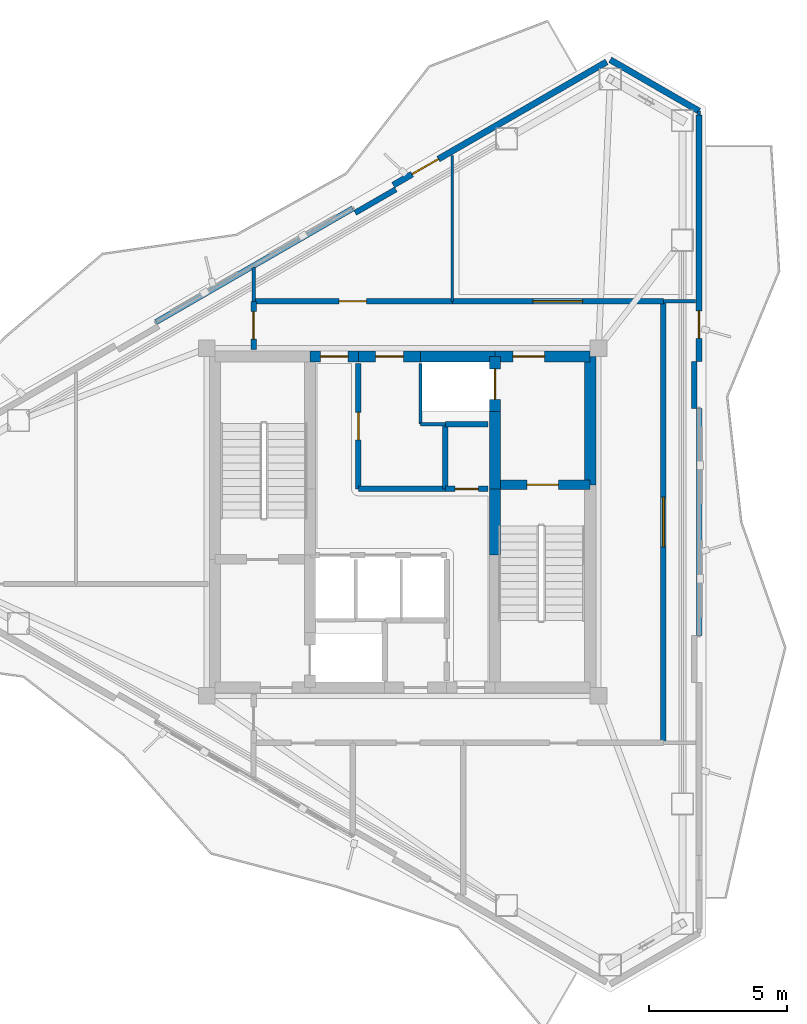
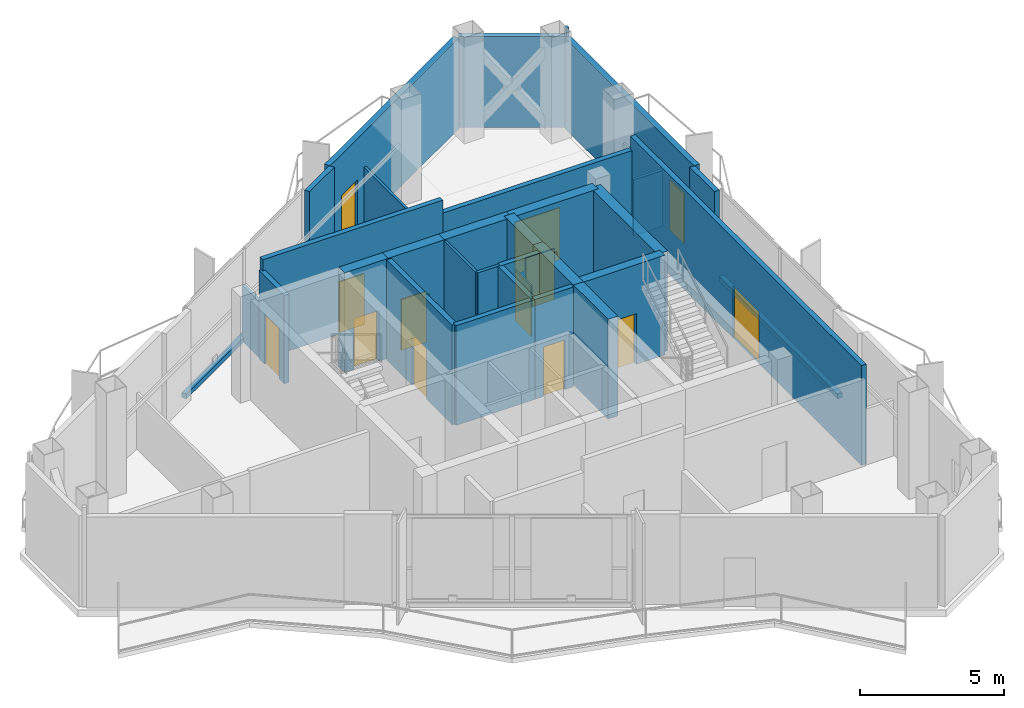
# One storey, part 11 of 14: 31 walls, 13 doors, 13 openings.
"""IFC4 building model written with IfcOpenShell, lengths in metres."""

from ifc_helpers import new_model, si_unit, direction, frame, frame_2d, origin, place, context, subcontext, project, spatial, rectangle, extrude, material, layer, layer_set, type_object, element, fill, save


model = new_model("IFC4")

# Units and contexts
model_context = context("Model", 3, precision=1e-05, world=origin(), true_north=direction((0.0, 1.0)))
body_context = subcontext(model_context, "Body", "Model", "MODEL_VIEW")
ifc_project = project(units=[si_unit("LENGTHUNIT", "METRE"), si_unit("AREAUNIT", "SQUARE_METRE"), si_unit("VOLUMEUNIT", "CUBIC_METRE"), si_unit("PLANEANGLEUNIT", "RADIAN"), si_unit("MASSUNIT", "GRAM", prefix="KILO")], contexts=[model_context])

# Site, building, storey
site_placement = place(None, origin())
site = spatial("IfcSite", under=ifc_project, at=site_placement, CompositionType="ELEMENT")
building_placement = place(site_placement, origin())
building = spatial("IfcBuilding", under=site, at=building_placement, Name="Mersakhor Tower and Convention Hall", CompositionType="ELEMENT")
storey_placement = place(building_placement, frame((0.0, 0.0, 249.60009765625)))
storey = spatial("IfcBuildingStorey", under=building, at=storey_placement, Name="L70", CompositionType="ELEMENT", Elevation=249.60009765625)

# Wall
ifc_material_1 = material(Name="Precast concrete C40/50", Category="concrete")
ifc_layer_1 = layer(ifc_material_1, 0.22509765625)
ifc_layer_set_1 = layer_set([ifc_layer_1], Name="Precast concrete C40/50")
wall_type_1 = type_object("IfcWallType", Name="WL-EXT-225", PredefinedType="SOLIDWALL", material=ifc_layer_set_1)
wall_1_placement = place(storey_placement, frame((36.525146484375, 43.49951171875, 0.0), z_axis=(0.0, 0.0, 1.0), x_axis=(0.866038962515, -0.499976514854, 0.0)))
element("IfcWall", 1, at=wall_1_placement, inside=storey, type_object=wall_type_1, Name="L70 Chamfer Braced Spandrel Wall C1", PredefinedType="SOLIDWALL", context=body_context, shape_type="SweptSolid", body=[
    extrude(rectangle(XDim=3.715576171875, YDim=0.22509765625, at=frame_2d((1.85791015625, 0.0))), origin(), (0.0, 0.0, 1.0), 3.83984375),
])

# Wall, opening, door
wall_2_placement = place(storey_placement, frame((28.66357421875, 38.96044921875, 0.0), z_axis=(0.0, 0.0, 1.0), x_axis=(0.866026655105, 0.499997832642, 0.0)))
wall_2 = element("IfcWall", 2, at=wall_2_placement, inside=storey, type_object=wall_type_1, Name="L70 Exterior Facade Wall F1-B3", PredefinedType="SOLIDWALL", context=body_context, shape_type="SweptSolid", body=[
    extrude(rectangle(XDim=8.927734375, YDim=0.22509765625, at=frame_2d((4.4638671875, 0.0))), origin(), (0.0, 0.0, 1.0), 3.83984375),
])
opening_1_placement = place(wall_2_placement, frame((0.7880859375, 0.0, 0.0)))
opening_1 = element("IfcOpeningElement", 3, at=opening_1_placement, cuts=wall_2, Name="Opening BD-02", PredefinedType="OPENING", context=body_context, shape_type="SweptSolid", body=[
    extrude(rectangle(XDim=1.10009765625, YDim=2.10009765625, at=frame_2d((0.550048828125, 1.050048828125))), frame((0.0, 0.12255859375, 0.0), z_axis=(0.0, -1.0, 0.0), x_axis=(1.0, 0.0, 0.0)), (0.0, 0.0, 1.0), 0.2451171875),
])
ifc_material_2 = material(Name="Thermally broken dark aluminium and safety glass", Category="aluminium")
door_type_1 = type_object("IfcDoorType", Name="DR-BAL-110x210", OperationType="NOTDEFINED", PredefinedType="DOOR", material=ifc_material_2)
door_1_placement = place(opening_1_placement, origin())
door_1 = element("IfcDoor", 4, at=door_1_placement, inside=storey, type_object=door_type_1, Name="L70 Balcony Terrace Door F1-B3", OperationType="SINGLE_SWING_RIGHT", OverallHeight=2.10009765625, OverallWidth=1.10009765625, PredefinedType="DOOR", context=body_context, shape_type="SweptSolid", body=[
    extrude(rectangle(XDim=1.10009765625, YDim=2.10009765625, at=frame_2d((0.550048828125, 1.050048828125))), frame((0.0, 0.02490234375, 0.0), z_axis=(0.0, -1.0, 0.0), x_axis=(1.0, 0.0, 0.0)), (0.0, 0.0, 1.0), 0.050048828125),
])
fill(opening_1, door_1)

wall_3_placement = place(storey_placement, frame((39.742919921875, 41.49169921875, 0.0), z_axis=(0.0, 0.0, 1.0), x_axis=(0.0, -1.0, 0.0)))
wall_3 = element("IfcWall", 5, at=wall_3_placement, inside=storey, type_object=wall_type_1, Name="L70 Exterior Facade Wall F2-B1", PredefinedType="SOLIDWALL", context=body_context, shape_type="SweptSolid", body=[
    extrude(rectangle(XDim=8.927734375, YDim=0.22509765625, at=frame_2d((4.4638671875, 0.0))), origin(), (0.0, 0.0, 1.0), 3.83984375),
])
opening_2_placement = place(wall_3_placement, frame((7.090087890625, 0.0, 0.0)))
opening_2 = element("IfcOpeningElement", 6, at=opening_2_placement, cuts=wall_3, Name="Opening BD-01", PredefinedType="OPENING", context=body_context, shape_type="SweptSolid", body=[
    extrude(rectangle(XDim=1.0, YDim=2.10009765625, at=frame_2d((0.5, 1.050048828125))), frame((0.0, 0.12255859375, 0.0), z_axis=(0.0, -1.0, 0.0), x_axis=(1.0, 0.0, 0.0)), (0.0, 0.0, 1.0), 0.2451171875),
])
ifc_material_3 = material(Name="Thermally broken dark aluminium and safety glass", Category="aluminium")
door_type_2 = type_object("IfcDoorType", Name="DR-BAL-100x210", OperationType="NOTDEFINED", PredefinedType="DOOR", material=ifc_material_3)
door_2_placement = place(opening_2_placement, origin())
door_2 = element("IfcDoor", 7, at=door_2_placement, inside=storey, type_object=door_type_2, Name="L70 Balcony Terrace Door F2-B1", OperationType="SINGLE_SWING_LEFT", OverallHeight=2.10009765625, OverallWidth=1.0, PredefinedType="DOOR", context=body_context, shape_type="SweptSolid", body=[
    extrude(rectangle(XDim=1.0, YDim=2.10009765625, at=frame_2d((0.5, 1.050048828125))), frame((0.0, 0.02490234375, 0.0), z_axis=(0.0, -1.0, 0.0), x_axis=(1.0, 0.0, 0.0)), (0.0, 0.0, 1.0), 0.050048828125),
])
fill(opening_2, door_2)

# Walls
ifc_material_4 = material(Name="Precast concrete C40/50", Category="concrete")
ifc_layer_2 = layer(ifc_material_4, 0.199951171875)
ifc_layer_set_2 = layer_set([ifc_layer_2], Name="Precast concrete C40/50")
wall_type_2 = type_object("IfcWallType", Name="WL-PAR-200", PredefinedType="PARAPET", material=ifc_layer_set_2)
wall_4_placement = place(storey_placement, frame((20.06591796875, 33.99658203125, 0.0), z_axis=(0.0, 0.0, 1.0), x_axis=(0.866019557082, 0.500010126649, 0.0)))
element("IfcWall", 8, at=wall_4_placement, inside=storey, type_object=wall_type_2, Name="L70 Curtain Wall Upstand Sill F1-B2", PredefinedType="PARAPET", context=body_context, shape_type="SweptSolid", body=[
    extrude(rectangle(XDim=8.227783203125, YDim=0.199951171875, at=frame_2d((4.11376953125, 0.0))), origin(), (0.0, 0.0, 1.0), 0.199951171875),
])
wall_5_placement = place(storey_placement, frame((27.28125, 37.95458984375, 0.0), z_axis=(0.0, 0.0, 1.0), x_axis=(0.866025371046, 0.500000056704, 0.0)))
element("IfcWall", 9, at=wall_5_placement, inside=storey, type_object=wall_type_2, Name="L70 Column Pier Cladding Wall F1-C2", PredefinedType="PARAPET", context=body_context, shape_type="SweptSolid", body=[
    extrude(rectangle(XDim=1.7001953125, YDim=0.199951171875, at=frame_2d((0.85009765625, 0.0))), origin(), (0.0, 0.0, 1.0), 3.83984375),
])
wall_6_placement = place(storey_placement, frame((39.742919921875, 30.864013671875, 0.0), z_axis=(0.0, 0.0, 1.0), x_axis=(0.0, -1.0, 0.0)))
element("IfcWall", 10, at=wall_6_placement, inside=storey, type_object=wall_type_2, Name="L70 Curtain Wall Upstand Sill F2-B2", PredefinedType="PARAPET", context=body_context, shape_type="SweptSolid", body=[
    extrude(rectangle(XDim=8.22802734375, YDim=0.199951171875, at=frame_2d((4.114013671875, 0.0))), origin(), (0.0, 0.0, 1.0), 0.199951171875),
])
wall_7_placement = place(storey_placement, frame((39.562744140625, 32.56396484375, 0.0), z_axis=(0.0, 0.0, 1.0), x_axis=(0.0, -1.0, 0.0)))
element("IfcWall", 11, at=wall_7_placement, inside=storey, type_object=wall_type_2, Name="L70 Column Pier Cladding Wall F2-C1", PredefinedType="PARAPET", context=body_context, shape_type="SweptSolid", body=[
    extrude(rectangle(XDim=1.699951171875, YDim=0.199951171875, at=frame_2d((0.85009765625, 0.0))), origin(), (0.0, 0.0, 1.0), 3.83984375),
])
ifc_material_5 = material(Name="Lightweight gypsum partition", Category="other")
ifc_layer_3 = layer(ifc_material_5, 0.10009765625)
ifc_layer_set_3 = layer_set([ifc_layer_3], Name="Lightweight gypsum partition")
wall_type_3 = type_object("IfcWallType", Name="WL-PRT-100", PredefinedType="PARTITIONING", material=ifc_layer_set_3)
wall_8_placement = place(storey_placement, frame((29.64990234375, 30.300048828125, 0.0), z_axis=(0.0, 0.0, 1.0), x_axis=(0.0, 1.0, 0.0)))
element("IfcWall", 12, at=wall_8_placement, inside=storey, type_object=wall_type_3, Name="L70 Interior Partition Wall P-006", PredefinedType="PARTITIONING", context=body_context, shape_type="SweptSolid", body=[
    extrude(rectangle(XDim=2.199951171875, YDim=0.10009765625, at=frame_2d((1.10009765625, 0.0))), origin(), (0.0, 0.0, 1.0), 4.219970703125),
])
wall_9_placement = place(storey_placement, frame((30.800048828125, 40.036376953125, 0.0), z_axis=(0.0, 0.0, 1.0), x_axis=(0.0, -1.0, 0.0)))
element("IfcWall", 13, at=wall_9_placement, inside=storey, type_object=wall_type_3, Name="L70 Interior Partition Wall P-030", PredefinedType="PARTITIONING", context=body_context, shape_type="SweptSolid", body=[
    extrude(rectangle(XDim=5.286376953125, YDim=0.10009765625, at=frame_2d((2.64306640625, 0.0))), origin(), (0.0, 0.0, 1.0), 2.364990234375),
])
wall_10_placement = place(storey_placement, frame((39.742919921875, 41.64208984375, 0.0), z_axis=(0.0, 0.0, 1.0), x_axis=(0.0, -1.0, 0.0)))
element("IfcWall", 14, at=wall_10_placement, inside=storey, type_object=wall_type_3, Name="L70 Interior Partition Wall P-032", PredefinedType="PARTITIONING", context=body_context, shape_type="SweptSolid", body=[
    extrude(rectangle(XDim=0.150390625, YDim=0.10009765625, at=frame_2d((0.0751953125, 0.0))), origin(), (0.0, 0.0, 1.0), 4.219970703125),
])
ifc_material_6 = material(Name="Gypsum board acoustic partition", Category="other")
ifc_layer_4 = layer(ifc_material_6, 0.125)
ifc_layer_set_4 = layer_set([ifc_layer_4], Name="Gypsum board acoustic partition")
wall_type_4 = type_object("IfcWallType", Name="WL-PRT-125", PredefinedType="PARTITIONING", material=ifc_layer_set_4)
wall_11_placement = place(storey_placement, frame((30.550048828125, 30.300048828125, 0.0), z_axis=(0.0, 0.0, 1.0), x_axis=(-1.0, 0.0, 0.0)))
element("IfcWall", 15, at=wall_11_placement, inside=storey, type_object=wall_type_4, Name="L70 Interior Partition Wall P-005", PredefinedType="PARTITIONING", context=body_context, shape_type="SweptSolid", body=[
    extrude(rectangle(XDim=0.900146484375, YDim=0.125, at=frame_2d((0.4501953125, 0.0))), origin(), (0.0, 0.0, 1.0), 4.219970703125),
])
wall_12_placement = place(storey_placement, frame((23.60009765625, 34.75, 0.0), z_axis=(0.0, 0.0, 1.0), x_axis=(0.0, 1.0, 0.0)))
element("IfcWall", 16, at=wall_12_placement, inside=storey, type_object=wall_type_4, Name="L70 Interior Partition Wall P-029", PredefinedType="PARTITIONING", context=body_context, shape_type="SweptSolid", body=[
    extrude(rectangle(XDim=1.229248046875, YDim=0.125, at=frame_2d((0.61474609375, 0.0))), origin(), (0.0, 0.0, 1.0), 2.364990234375),
])
wall_13_placement = place(storey_placement, frame((39.606201171875, 34.75, 0.0), z_axis=(0.0, 0.0, 1.0), x_axis=(-1.0, 0.0, 0.0)))
element("IfcWall", 17, at=wall_13_placement, inside=storey, type_object=wall_type_4, Name="L70 Interior Partition Wall P-031", PredefinedType="PARTITIONING", context=body_context, shape_type="SweptSolid", body=[
    extrude(rectangle(XDim=1.15625, YDim=0.125, at=frame_2d((0.578125, 0.0))), origin(), (0.0, 0.0, 1.0), 2.364990234375),
])
ifc_material_7 = material(Name="Acoustic concrete blockwork and gypsum board", Category="masonry")
ifc_layer_5 = layer(ifc_material_7, 0.199951171875)
ifc_layer_set_5 = layer_set([ifc_layer_5], Name="Acoustic concrete blockwork and gypsum board")
wall_type_5 = type_object("IfcWallType", Name="WL-PRT-200", PredefinedType="PARTITIONING", material=ifc_layer_set_5)
wall_14_placement = place(storey_placement, frame((32.10009765625, 30.300048828125, 0.0), z_axis=(0.0, 0.0, 1.0), x_axis=(-1.0, 0.0, 0.0)))
element("IfcWall", 18, at=wall_14_placement, inside=storey, type_object=wall_type_5, Name="L70 Interior Partition Wall P-004", PredefinedType="PARTITIONING", context=body_context, shape_type="SweptSolid", body=[
    extrude(rectangle(XDim=1.550048828125, YDim=0.199951171875, at=frame_2d((0.77490234375, 0.0))), origin(), (0.0, 0.0, 1.0), 4.219970703125),
])

# Wall, opening, door
wall_15_placement = place(storey_placement, frame((27.39990234375, 32.5, 0.0), z_axis=(0.0, 0.0, 1.0), x_axis=(0.0, -1.0, 0.0)))
wall_15 = element("IfcWall", 19, at=wall_15_placement, inside=storey, type_object=wall_type_5, Name="L70 Interior Partition Wall P-013", PredefinedType="PARTITIONING", context=body_context, shape_type="SweptSolid", body=[
    extrude(rectangle(XDim=4.550048828125, YDim=0.199951171875, at=frame_2d((2.27490234375, 0.0))), origin(), (0.0, 0.0, 1.0), 4.219970703125),
])
opening_3_placement = place(wall_15_placement, frame((1.77490234375, 0.0, 0.0)))
opening_3 = element("IfcOpeningElement", 20, at=opening_3_placement, cuts=wall_15, Name="Opening FD-01", PredefinedType="OPENING", context=body_context, shape_type="SweptSolid", body=[
    extrude(rectangle(XDim=1.0, YDim=2.14990234375, at=frame_2d((0.5, 1.074951171875))), frame((0.0, 0.10986328125, 0.0), z_axis=(0.0, -1.0, 0.0), x_axis=(1.0, 0.0, 0.0)), (0.0, 0.0, 1.0), 0.219970703125),
])
ifc_material_8 = material(Name="Fire-rated hardwood leaf and painted steel frame", Category="steel")
door_type_3 = type_object("IfcDoorType", Name="DR-INT-FLT-100x215", OperationType="NOTDEFINED", PredefinedType="DOOR", material=ifc_material_8)
door_3_placement = place(opening_3_placement, origin())
door_3 = element("IfcDoor", 21, at=door_3_placement, inside=storey, type_object=door_type_3, Name="L70 Central Passenger Lift Lobby to Quiet Core Study Room Door", OperationType="SINGLE_SWING_RIGHT", OverallHeight=2.14990234375, OverallWidth=1.0, PredefinedType="DOOR", context=body_context, shape_type="SweptSolid", body=[
    extrude(rectangle(XDim=1.0, YDim=2.14990234375, at=frame_2d((0.5, 1.074951171875))), frame((0.0, 0.02490234375, 0.0), z_axis=(0.0, -1.0, 0.0), x_axis=(1.0, 0.0, 0.0)), (0.0, 0.0, 1.0), 0.050048828125),
])
fill(opening_3, door_3)

# Wall
wall_16_placement = place(storey_placement, frame((27.39990234375, 27.949951171875, 0.0), z_axis=(0.0, 0.0, 1.0), x_axis=(1.0, 0.0, 0.0)))
element("IfcWall", 22, at=wall_16_placement, inside=storey, type_object=wall_type_5, Name="L70 Interior Partition Wall P-014", PredefinedType="PARTITIONING", context=body_context, shape_type="SweptSolid", body=[
    extrude(rectangle(XDim=3.150146484375, YDim=0.199951171875, at=frame_2d((1.5751953125, 0.0))), origin(), (0.0, 0.0, 1.0), 4.219970703125),
])

# Wall, opening, door
wall_17_placement = place(storey_placement, frame((30.550048828125, 27.949951171875, 0.0), z_axis=(0.0, 0.0, 1.0), x_axis=(1.0, 0.0, 0.0)))
wall_17 = element("IfcWall", 23, at=wall_17_placement, inside=storey, type_object=wall_type_5, Name="L70 Interior Partition Wall P-015", PredefinedType="PARTITIONING", context=body_context, shape_type="SweptSolid", body=[
    extrude(rectangle(XDim=1.550048828125, YDim=0.199951171875, at=frame_2d((0.77490234375, 0.0))), origin(), (0.0, 0.0, 1.0), 4.219970703125),
])
opening_4_placement = place(wall_17_placement, frame((0.35009765625, 0.0, 0.0)))
opening_4 = element("IfcOpeningElement", 24, at=opening_4_placement, cuts=wall_17, Name="Opening SVD-01", PredefinedType="OPENING", context=body_context, shape_type="SweptSolid", body=[
    extrude(rectangle(XDim=0.85009765625, YDim=2.10009765625, at=frame_2d((0.425048828125, 1.050048828125))), frame((0.0, 0.10986328125, 0.0), z_axis=(0.0, -1.0, 0.0), x_axis=(1.0, 0.0, 0.0)), (0.0, 0.0, 1.0), 0.219970703125),
])
ifc_material_9 = material(Name="Fire-rated hardwood leaf and painted steel frame", Category="steel")
door_type_4 = type_object("IfcDoorType", Name="DR-INT-SVC-085x210", OperationType="NOTDEFINED", PredefinedType="DOOR", material=ifc_material_9)
door_4_placement = place(opening_4_placement, origin())
door_4 = element("IfcDoor", 25, at=door_4_placement, inside=storey, type_object=door_type_4, Name="L70 Central Passenger Lift Lobby to Housekeeping Linen Store Room Door", OperationType="SINGLE_SWING_LEFT", OverallHeight=2.10009765625, OverallWidth=0.85009765625, PredefinedType="DOOR", context=body_context, shape_type="SweptSolid", body=[
    extrude(rectangle(XDim=0.85009765625, YDim=2.10009765625, at=frame_2d((0.425048828125, 1.050048828125))), frame((0.0, 0.02490234375, 0.0), z_axis=(0.0, -1.0, 0.0), x_axis=(1.0, 0.0, 0.0)), (0.0, 0.0, 1.0), 0.050048828125),
])
fill(opening_4, door_4)

wall_18_placement = place(storey_placement, frame((23.60009765625, 33.0, 0.0), z_axis=(0.0, 0.0, 1.0), x_axis=(0.0, 1.0, 0.0)))
wall_18 = element("IfcWall", 26, at=wall_18_placement, inside=storey, type_object=wall_type_5, Name="L70 Interior Partition Wall P-016", PredefinedType="PARTITIONING", context=body_context, shape_type="SweptSolid", body=[
    extrude(rectangle(XDim=1.75, YDim=0.199951171875, at=frame_2d((0.875, 0.0))), origin(), (0.0, 0.0, 1.0), 3.744873046875),
])
opening_5_placement = place(wall_18_placement, frame((0.375, 0.0, 0.0)))
opening_5 = element("IfcOpeningElement", 27, at=opening_5_placement, cuts=wall_18, Name="Opening FD-01", PredefinedType="OPENING", context=body_context, shape_type="SweptSolid", body=[
    extrude(rectangle(XDim=1.0, YDim=2.14990234375, at=frame_2d((0.5, 1.074951171875))), frame((0.0, 0.10986328125, 0.0), z_axis=(0.0, -1.0, 0.0), x_axis=(1.0, 0.0, 0.0)), (0.0, 0.0, 1.0), 0.219970703125),
])
door_5_placement = place(opening_5_placement, origin())
door_5 = element("IfcDoor", 28, at=door_5_placement, inside=storey, type_object=door_type_3, Name="L70 L70 Sky-Lobby Corridor to West Panorama Garden Lounge Annex Door", OperationType="SINGLE_SWING_RIGHT", OverallHeight=2.14990234375, OverallWidth=1.0, PredefinedType="DOOR", context=body_context, shape_type="SweptSolid", body=[
    extrude(rectangle(XDim=1.0, YDim=2.14990234375, at=frame_2d((0.5, 1.074951171875))), frame((0.0, 0.02490234375, 0.0), z_axis=(0.0, -1.0, 0.0), x_axis=(1.0, 0.0, 0.0)), (0.0, 0.0, 1.0), 0.050048828125),
])
fill(opening_5, door_5)

wall_19_placement = place(storey_placement, frame((23.60009765625, 34.75, 0.0), z_axis=(0.0, 0.0, 1.0), x_axis=(1.0, 0.0, 0.0)))
wall_19 = element("IfcWall", 29, at=wall_19_placement, inside=storey, type_object=wall_type_5, Name="L70 Interior Partition Wall P-017", PredefinedType="PARTITIONING", context=body_context, shape_type="SweptSolid", body=[
    extrude(rectangle(XDim=7.199951171875, YDim=0.199951171875, at=frame_2d((3.60009765625, 0.0))), origin(), (0.0, 0.0, 1.0), 4.219970703125),
])
opening_6_placement = place(wall_19_placement, frame((3.10009765625, 0.0, 0.0)))
opening_6 = element("IfcOpeningElement", 30, at=opening_6_placement, cuts=wall_19, Name="Opening FD-01", PredefinedType="OPENING", context=body_context, shape_type="SweptSolid", body=[
    extrude(rectangle(XDim=1.0, YDim=2.14990234375, at=frame_2d((0.5, 1.074951171875))), frame((0.0, 0.10986328125, 0.0), z_axis=(0.0, -1.0, 0.0), x_axis=(1.0, 0.0, 0.0)), (0.0, 0.0, 1.0), 0.219970703125),
])
door_6_placement = place(opening_6_placement, origin())
door_6 = element("IfcDoor", 31, at=door_6_placement, inside=storey, type_object=door_type_3, Name="L70 L70 Sky-Lobby Corridor to North Botanical Conservatory Lounge Door", OperationType="SINGLE_SWING_LEFT", OverallHeight=2.14990234375, OverallWidth=1.0, PredefinedType="DOOR", context=body_context, shape_type="SweptSolid", body=[
    extrude(rectangle(XDim=1.0, YDim=2.14990234375, at=frame_2d((0.5, 1.074951171875))), frame((0.0, 0.02490234375, 0.0), z_axis=(0.0, -1.0, 0.0), x_axis=(1.0, 0.0, 0.0)), (0.0, 0.0, 1.0), 0.050048828125),
])
fill(opening_6, door_6)

wall_20_placement = place(storey_placement, frame((30.800048828125, 34.75, 0.0), z_axis=(0.0, 0.0, 1.0), x_axis=(1.0, 0.0, 0.0)))
wall_20 = element("IfcWall", 32, at=wall_20_placement, inside=storey, type_object=wall_type_5, Name="L70 Interior Partition Wall P-018", PredefinedType="PARTITIONING", context=body_context, shape_type="SweptSolid", body=[
    extrude(rectangle(XDim=7.64990234375, YDim=0.199951171875, at=frame_2d((3.824951171875, 0.0))), origin(), (0.0, 0.0, 1.0), 3.668212890625),
])
opening_7_placement = place(wall_20_placement, frame((2.925048828125, 0.0, 0.0)))
opening_7 = element("IfcOpeningElement", 33, at=opening_7_placement, cuts=wall_20, Name="Opening HD-01", PredefinedType="OPENING", context=body_context, shape_type="SweptSolid", body=[
    extrude(rectangle(XDim=1.800048828125, YDim=2.199951171875, at=frame_2d((0.89990234375, 1.10009765625))), frame((0.0, 0.10986328125, 0.0), z_axis=(0.0, -1.0, 0.0), x_axis=(1.0, 0.0, 0.0)), (0.0, 0.0, 1.0), 0.219970703125),
])
ifc_material_10 = material(Name="Fire-rated hardwood leaf and painted steel frame", Category="steel")
door_type_5 = type_object("IfcDoorType", Name="DR-INT-HALL-180x220", OperationType="NOTDEFINED", PredefinedType="DOOR", material=ifc_material_10)
door_7_placement = place(opening_7_placement, origin())
door_7 = element("IfcDoor", 34, at=door_7_placement, inside=storey, type_object=door_type_5, Name="L70 L70 Sky-Lobby Corridor to Subtropical Palm Solarium Hall Door", OperationType="DOUBLE_DOOR_SINGLE_SWING", OverallHeight=2.199951171875, OverallWidth=1.800048828125, PredefinedType="DOOR", context=body_context, shape_type="SweptSolid", body=[
    extrude(rectangle(XDim=1.800048828125, YDim=2.199951171875, at=frame_2d((0.89990234375, 1.10009765625))), frame((0.0, 0.02490234375, 0.0), z_axis=(0.0, -1.0, 0.0), x_axis=(1.0, 0.0, 0.0)), (0.0, 0.0, 1.0), 0.050048828125),
])
fill(opening_7, door_7)

wall_21_placement = place(storey_placement, frame((38.449951171875, 34.75, 0.0), z_axis=(0.0, 0.0, 1.0), x_axis=(0.0, -1.0, 0.0)))
wall_21 = element("IfcWall", 35, at=wall_21_placement, inside=storey, type_object=wall_type_5, Name="L70 Interior Partition Wall P-019", PredefinedType="PARTITIONING", context=body_context, shape_type="SweptSolid", body=[
    extrude(rectangle(XDim=16.0, YDim=0.199951171875, at=frame_2d((8.0, 0.0))), origin(), (0.0, 0.0, 1.0), 4.219970703125),
])
opening_8_placement = place(wall_21_placement, frame((7.10009765625, 0.0, 0.0)))
opening_8 = element("IfcOpeningElement", 36, at=opening_8_placement, cuts=wall_21, Name="Opening HD-01", PredefinedType="OPENING", context=body_context, shape_type="SweptSolid", body=[
    extrude(rectangle(XDim=1.800048828125, YDim=2.199951171875, at=frame_2d((0.89990234375, 1.10009765625))), frame((0.0, 0.10986328125, 0.0), z_axis=(0.0, -1.0, 0.0), x_axis=(1.0, 0.0, 0.0)), (0.0, 0.0, 1.0), 0.219970703125),
])
door_8_placement = place(opening_8_placement, origin())
door_8 = element("IfcDoor", 37, at=door_8_placement, inside=storey, type_object=door_type_5, Name="L70 L70 Sky-Lobby Corridor to East Bay Sky-Garden Tea Room Door", OperationType="DOUBLE_DOOR_SINGLE_SWING", OverallHeight=2.199951171875, OverallWidth=1.800048828125, PredefinedType="DOOR", context=body_context, shape_type="SweptSolid", body=[
    extrude(rectangle(XDim=1.800048828125, YDim=2.199951171875, at=frame_2d((0.89990234375, 1.10009765625))), frame((0.0, 0.02490234375, 0.0), z_axis=(0.0, -1.0, 0.0), x_axis=(1.0, 0.0, 0.0)), (0.0, 0.0, 1.0), 0.050048828125),
])
fill(opening_8, door_8)

# Wall
wall_22_placement = place(storey_placement, frame((30.550048828125, 30.300048828125, 0.0), z_axis=(0.0, 0.0, 1.0), x_axis=(0.0, -1.0, 0.0)))
element("IfcWall", 38, at=wall_22_placement, inside=storey, type_object=wall_type_5, Name="L70 Interior Partition Wall P-028", PredefinedType="PARTITIONING", context=body_context, shape_type="SweptSolid", body=[
    extrude(rectangle(XDim=2.35009765625, YDim=0.199951171875, at=frame_2d((1.175048828125, 0.0))), origin(), (0.0, 0.0, 1.0), 4.219970703125),
])

# Wall, opening, door
ifc_material_11 = material(Name="Concrete C50/60", Category="concrete")
ifc_layer_6 = layer(ifc_material_11, 0.35009765625)
ifc_layer_set_6 = layer_set([ifc_layer_6], Name="Concrete C50/60")
wall_type_6 = type_object("IfcWallType", Name="WL-SHR-350", PredefinedType="SHEAR", material=ifc_layer_set_6)
wall_23_placement = place(storey_placement, frame((32.35009765625, 28.10009765625, 0.0), z_axis=(0.0, 0.0, 1.0), x_axis=(1.0, 0.0, 0.0)))
wall_23 = element("IfcWall", 39, at=wall_23_placement, inside=storey, type_object=wall_type_6, Name="L70 Core Wall CS-ST2-N", PredefinedType="SHEAR", context=body_context, shape_type="SweptSolid", body=[
    extrude(rectangle(XDim=3.449951171875, YDim=0.35009765625, at=frame_2d((1.72509765625, 0.0))), origin(), (0.0, 0.0, 1.0), 4.219970703125),
])
opening_9_placement = place(wall_23_placement, frame((1.14990234375, 0.0, 0.0)))
opening_9 = element("IfcOpeningElement", 40, at=opening_9_placement, cuts=wall_23, Name="Opening SD-01", PredefinedType="OPENING", context=body_context, shape_type="SweptSolid", body=[
    extrude(rectangle(XDim=1.14990234375, YDim=2.14990234375, at=frame_2d((0.574951171875, 1.074951171875))), frame((0.0, 0.18505859375, 0.0), z_axis=(0.0, -1.0, 0.0), x_axis=(1.0, 0.0, 0.0)), (0.0, 0.0, 1.0), 0.3701171875),
])
ifc_material_12 = material(Name="Fire-rated hardwood leaf and painted steel frame", Category="steel")
door_type_6 = type_object("IfcDoorType", Name="DR-INT-STAIR-115x215", OperationType="NOTDEFINED", PredefinedType="DOOR", material=ifc_material_12)
door_9_placement = place(opening_9_placement, origin())
door_9 = element("IfcDoor", 41, at=door_9_placement, inside=storey, type_object=door_type_6, Name="L70 Exit Stair ST-2 Enclosure Door", OperationType="SINGLE_SWING_RIGHT", OverallHeight=2.14990234375, OverallWidth=1.14990234375, PredefinedType="DOOR", context=body_context, shape_type="SweptSolid", body=[
    extrude(rectangle(XDim=1.14990234375, YDim=2.14990234375, at=frame_2d((0.574951171875, 1.074951171875))), frame((0.0, 0.02490234375, 0.0), z_axis=(0.0, -1.0, 0.0), x_axis=(1.0, 0.0, 0.0)), (0.0, 0.0, 1.0), 0.050048828125),
])
fill(opening_9, door_9)

ifc_material_13 = material(Name="Concrete C60/75", Category="concrete")
ifc_layer_7 = layer(ifc_material_13, 0.39990234375)
ifc_layer_set_7 = layer_set([ifc_layer_7], Name="Concrete C60/75")
wall_type_7 = type_object("IfcWallType", Name="WL-SHR-400", PredefinedType="SHEAR", material=ifc_layer_set_7)
wall_24_placement = place(storey_placement, frame((25.64990234375, 32.75, 0.0), z_axis=(0.0, 0.0, 1.0), x_axis=(1.0, 0.0, 0.0)))
wall_24 = element("IfcWall", 42, at=wall_24_placement, inside=storey, type_object=wall_type_7, Name="L70 Core Wall CW-N2A", PredefinedType="SHEAR", context=body_context, shape_type="SweptSolid", body=[
    extrude(rectangle(XDim=1.75, YDim=0.39990234375, at=frame_2d((0.875, 0.0))), origin(), (0.0, 0.0, 1.0), 4.219970703125),
])
opening_10_placement = place(wall_24_placement, frame((0.375, 0.0, 0.0)))
opening_10 = element("IfcOpeningElement", 43, at=opening_10_placement, cuts=wall_24, Name="Opening CFD-01", PredefinedType="OPENING", context=body_context, shape_type="SweptSolid", body=[
    extrude(rectangle(XDim=1.0, YDim=2.14990234375, at=frame_2d((0.5, 1.074951171875))), frame((0.0, 0.2099609375, 0.0), z_axis=(0.0, -1.0, 0.0), x_axis=(1.0, 0.0, 0.0)), (0.0, 0.0, 1.0), 0.419921875),
])
ifc_material_14 = material(Name="Fire-rated hardwood leaf and painted steel frame", Category="steel")
door_type_7 = type_object("IfcDoorType", Name="DR-CORE-FD-100x215", OperationType="NOTDEFINED", PredefinedType="DOOR", material=ifc_material_14)
door_10_placement = place(opening_10_placement, origin())
door_10 = element("IfcDoor", 44, at=door_10_placement, inside=storey, type_object=door_type_7, Name="L70 Lift Lobby North Corridor Door", OperationType="SINGLE_SWING_LEFT", OverallHeight=2.14990234375, OverallWidth=1.0, PredefinedType="DOOR", context=body_context, shape_type="SweptSolid", body=[
    extrude(rectangle(XDim=1.0, YDim=2.14990234375, at=frame_2d((0.5, 1.074951171875))), frame((0.0, 0.02490234375, 0.0), z_axis=(0.0, -1.0, 0.0), x_axis=(1.0, 0.0, 0.0)), (0.0, 0.0, 1.0), 0.050048828125),
])
fill(opening_10, door_10)

wall_25_placement = place(storey_placement, frame((27.39990234375, 32.75, 0.0), z_axis=(0.0, 0.0, 1.0), x_axis=(1.0, 0.0, 0.0)))
wall_25 = element("IfcWall", 45, at=wall_25_placement, inside=storey, type_object=wall_type_7, Name="L70 Core Wall CW-N2B", PredefinedType="SHEAR", context=body_context, shape_type="SweptSolid", body=[
    extrude(rectangle(XDim=2.25, YDim=0.39990234375, at=frame_2d((1.125, 0.0))), origin(), (0.0, 0.0, 1.0), 4.219970703125),
])
opening_11_placement = place(wall_25_placement, frame((0.625, 0.0, 0.0)))
opening_11 = element("IfcOpeningElement", 46, at=opening_11_placement, cuts=wall_25, Name="Opening FD-01", PredefinedType="OPENING", context=body_context, shape_type="SweptSolid", body=[
    extrude(rectangle(XDim=1.0, YDim=2.14990234375, at=frame_2d((0.5, 1.074951171875))), frame((0.0, 0.2099609375, 0.0), z_axis=(0.0, -1.0, 0.0), x_axis=(1.0, 0.0, 0.0)), (0.0, 0.0, 1.0), 0.419921875),
])
door_11_placement = place(opening_11_placement, origin())
door_11 = element("IfcDoor", 47, at=door_11_placement, inside=storey, type_object=door_type_3, Name="L70 L70 Sky-Lobby Corridor to Quiet Core Study Room Door", OperationType="SINGLE_SWING_LEFT", OverallHeight=2.14990234375, OverallWidth=1.0, PredefinedType="DOOR", context=body_context, shape_type="SweptSolid", body=[
    extrude(rectangle(XDim=1.0, YDim=2.14990234375, at=frame_2d((0.5, 1.074951171875))), frame((0.0, 0.02490234375, 0.0), z_axis=(0.0, -1.0, 0.0), x_axis=(1.0, 0.0, 0.0)), (0.0, 0.0, 1.0), 0.050048828125),
])
fill(opening_11, door_11)

# Wall
wall_26_placement = place(storey_placement, frame((29.64990234375, 32.75, 0.0), z_axis=(0.0, 0.0, 1.0), x_axis=(1.0, 0.0, 0.0)))
element("IfcWall", 48, at=wall_26_placement, inside=storey, type_object=wall_type_7, Name="L70 Core Wall CW-N3", PredefinedType="SHEAR", context=body_context, shape_type="SweptSolid", body=[
    extrude(rectangle(XDim=2.7001953125, YDim=0.39990234375, at=frame_2d((1.35009765625, 0.0))), origin(), (0.0, 0.0, 1.0), 4.219970703125),
])

# Wall, opening, door
wall_27_placement = place(storey_placement, frame((32.35009765625, 32.75, 0.0), z_axis=(0.0, 0.0, 1.0), x_axis=(1.0, 0.0, 0.0)))
wall_27 = element("IfcWall", 49, at=wall_27_placement, inside=storey, type_object=wall_type_7, Name="L70 Core Wall CW-N4", PredefinedType="SHEAR", context=body_context, shape_type="SweptSolid", body=[
    extrude(rectangle(XDim=3.449951171875, YDim=0.39990234375, at=frame_2d((1.72509765625, 0.0))), origin(), (0.0, 0.0, 1.0), 4.219970703125),
])
opening_12_placement = place(wall_27_placement, frame((0.64990234375, 0.0, 0.0)))
opening_12 = element("IfcOpeningElement", 50, at=opening_12_placement, cuts=wall_27, Name="Opening SD-01", PredefinedType="OPENING", context=body_context, shape_type="SweptSolid", body=[
    extrude(rectangle(XDim=1.14990234375, YDim=2.14990234375, at=frame_2d((0.574951171875, 1.074951171875))), frame((0.0, 0.2099609375, 0.0), z_axis=(0.0, -1.0, 0.0), x_axis=(1.0, 0.0, 0.0)), (0.0, 0.0, 1.0), 0.419921875),
])
door_12_placement = place(opening_12_placement, origin())
door_12 = element("IfcDoor", 51, at=door_12_placement, inside=storey, type_object=door_type_6, Name="L70 Firefighting Lobby East Fire Door", OperationType="SINGLE_SWING_RIGHT", OverallHeight=2.14990234375, OverallWidth=1.14990234375, PredefinedType="DOOR", context=body_context, shape_type="SweptSolid", body=[
    extrude(rectangle(XDim=1.14990234375, YDim=2.14990234375, at=frame_2d((0.574951171875, 1.074951171875))), frame((0.0, 0.02490234375, 0.0), z_axis=(0.0, -1.0, 0.0), x_axis=(1.0, 0.0, 0.0)), (0.0, 0.0, 1.0), 0.050048828125),
])
fill(opening_12, door_12)

# Walls
wall_28_placement = place(storey_placement, frame((35.800048828125, 32.75, 0.0), z_axis=(0.0, 0.0, 1.0), x_axis=(0.0, -1.0, 0.0)))
element("IfcWall", 52, at=wall_28_placement, inside=storey, type_object=wall_type_7, Name="L70 Core Wall CW-E1", PredefinedType="SHEAR", context=body_context, shape_type="SweptSolid", body=[
    extrude(rectangle(XDim=4.64990234375, YDim=0.39990234375, at=frame_2d((2.324951171875, 0.0))), origin(), (0.0, 0.0, 1.0), 4.219970703125),
])
wall_29_placement = place(storey_placement, frame((32.35009765625, 25.550048828125, 0.0), z_axis=(0.0, 0.0, 1.0), x_axis=(0.0, 1.0, 0.0)))
element("IfcWall", 53, at=wall_29_placement, inside=storey, type_object=wall_type_7, Name="L70 Core Wall CS-E-LOB", PredefinedType="SHEAR", context=body_context, shape_type="SweptSolid", body=[
    extrude(rectangle(XDim=2.39990234375, YDim=0.39990234375, at=frame_2d((1.199951171875, 0.0))), origin(), (0.0, 0.0, 1.0), 4.219970703125),
])
wall_30_placement = place(storey_placement, frame((32.35009765625, 27.949951171875, 0.0), z_axis=(0.0, 0.0, 1.0), x_axis=(0.0, 1.0, 0.0)))
element("IfcWall", 54, at=wall_30_placement, inside=storey, type_object=wall_type_7, Name="L70 Core Wall CS-E-MID", PredefinedType="SHEAR", context=body_context, shape_type="SweptSolid", body=[
    extrude(rectangle(XDim=2.800048828125, YDim=0.39990234375, at=frame_2d((1.39990234375, 0.0))), origin(), (0.0, 0.0, 1.0), 4.219970703125),
])

# Wall, opening, door
wall_31_placement = place(storey_placement, frame((32.35009765625, 30.75, 0.0), z_axis=(0.0, 0.0, 1.0), x_axis=(0.0, 1.0, 0.0)))
wall_31 = element("IfcWall", 55, at=wall_31_placement, inside=storey, type_object=wall_type_7, Name="L70 Core Wall CS-E-FFL", PredefinedType="SHEAR", context=body_context, shape_type="SweptSolid", body=[
    extrude(rectangle(XDim=2.0, YDim=0.39990234375, at=frame_2d((1.0, 0.0))), origin(), (0.0, 0.0, 1.0), 4.219970703125),
])
opening_13_placement = place(wall_31_placement, frame((0.449951171875, 0.0, 0.0)))
opening_13 = element("IfcOpeningElement", 56, at=opening_13_placement, cuts=wall_31, Name="Opening LD-FFL2", PredefinedType="OPENING", context=body_context, shape_type="SweptSolid", body=[
    extrude(rectangle(XDim=1.10009765625, YDim=2.14990234375, at=frame_2d((0.550048828125, 1.074951171875))), frame((0.0, 0.2099609375, 0.0), z_axis=(0.0, -1.0, 0.0), x_axis=(1.0, 0.0, 0.0)), (0.0, 0.0, 1.0), 0.419921875),
])
ifc_material_15 = material(Name="Fire-rated brushed stainless steel sliding landing door", Category="steel")
door_type_8 = type_object("IfcDoorType", Name="DR-LIFT-SLD-110x215", OperationType="NOTDEFINED", PredefinedType="DOOR", material=ifc_material_15)
door_13_placement = place(opening_13_placement, origin())
door_13 = element("IfcDoor", 57, at=door_13_placement, inside=storey, type_object=door_type_8, Name="L70 Firefighting Lift Landing Door LD-FFL2", OperationType="SLIDING_TO_LEFT", OverallHeight=2.14990234375, OverallWidth=1.10009765625, PredefinedType="DOOR", context=body_context, shape_type="SweptSolid", body=[
    extrude(rectangle(XDim=1.10009765625, YDim=2.14990234375, at=frame_2d((0.550048828125, 1.074951171875))), frame((0.0, 0.02490234375, 0.0), z_axis=(0.0, -1.0, 0.0), x_axis=(1.0, 0.0, 0.0)), (0.0, 0.0, 1.0), 0.050048828125),
])
fill(opening_13, door_13)

save(model, "model.ifc")
